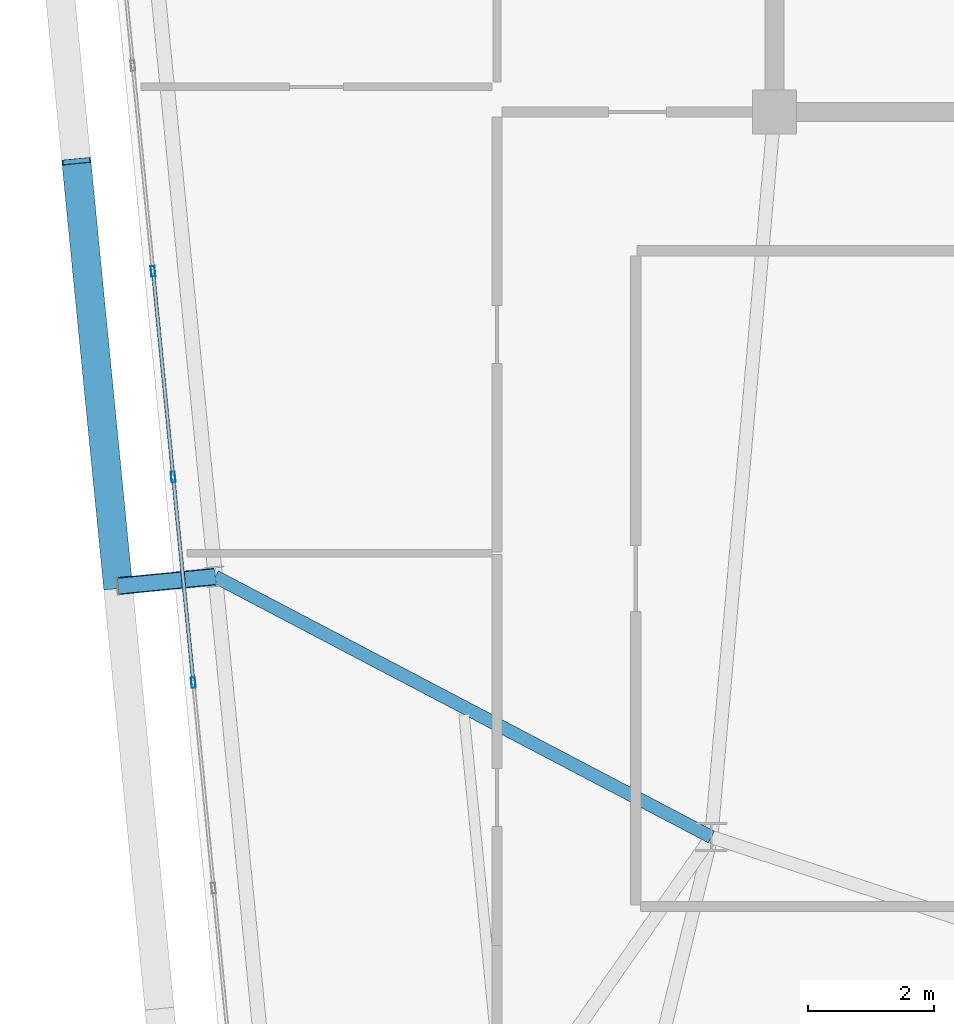
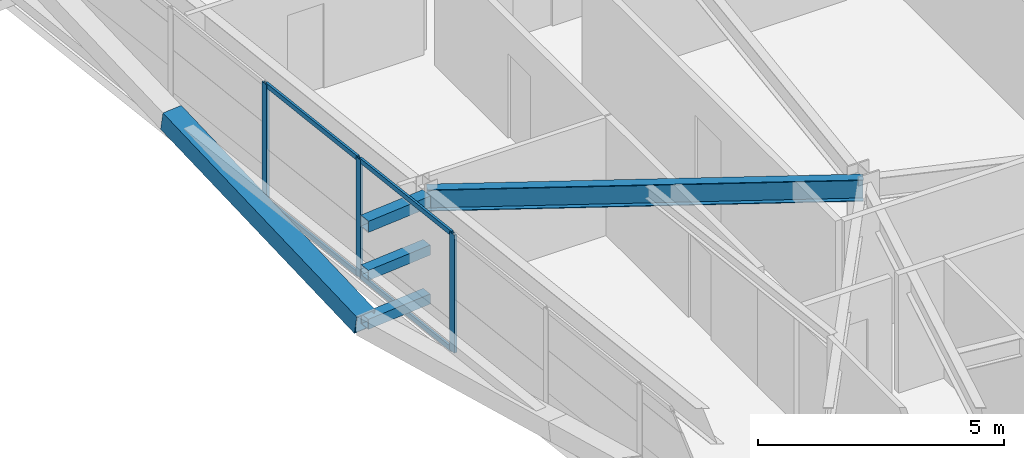
# One storey, part 13 of 52: 11 members, 1 beam, 1 element without a shape of its own.
"""IFC4 building model written with IfcOpenShell, lengths in metres."""

from ifc_helpers import new_model, si_unit, direction, frame, origin, origin_2d, place, context, subcontext, project, spatial, hollow_rectangle, i_section, extrude, source, transform, mapped, material, layer, layer_set, material_profile, profile_set, type_object, element, aggregate, save


model = new_model("IFC4")

# Units and contexts
model_context = context("Model", 3, precision=1e-05, world=origin(), true_north=direction((0.0, 1.0)))
body_context = subcontext(model_context, "Body", "Model", "MODEL_VIEW")
ifc_project = project(units=[si_unit("LENGTHUNIT", "METRE"), si_unit("AREAUNIT", "SQUARE_METRE"), si_unit("VOLUMEUNIT", "CUBIC_METRE"), si_unit("PLANEANGLEUNIT", "RADIAN"), si_unit("MASSUNIT", "GRAM", prefix="KILO")], contexts=[model_context])

# Site, building, storey
site_placement = place(None, origin())
site = spatial("IfcSite", under=ifc_project, at=site_placement, CompositionType="ELEMENT")
building_placement = place(site_placement, origin())
building = spatial("IfcBuilding", under=site, at=building_placement, Name="Taldren Reach Tower", CompositionType="ELEMENT")
storey_placement = place(building_placement, frame((0.0, 0.0, 96.60009765625)))
storey = spatial("IfcBuildingStorey", under=building, at=storey_placement, Name="L29", CompositionType="ELEMENT", Elevation=96.60009765625)

# Beam
ifc_material_1 = material(Name="Steel Gr 350 (350PLUS)", Category="steel")
ifc_material_profile_1 = material_profile(ifc_material_1, i_section(OverallWidth=0.208984375, OverallDepth=0.532958984375, WebThickness=0.01025390625, FlangeThickness=0.015625, at=origin_2d()), Name="530UB92.4")
ifc_profile_set_1 = profile_set([ifc_material_profile_1], Name="Steel Gr 350 (350PLUS)")
beam_type = type_object("IfcBeamType", Name="BM-UB530A", PredefinedType="BEAM", material=ifc_profile_set_1)
shared_shape_1 = source(origin(), body_context, "Body", "SweptSolid", [
    extrude(i_section(OverallWidth=0.208984375, OverallDepth=0.532958984375, WebThickness=0.01025390625, FlangeThickness=0.015625, at=origin_2d()), origin(), (0.0, 0.0, 1.0), 8.8876953125),
])
beam_placement = place(storey_placement, frame((18.0, 12.5, 2.663330078125), z_axis=(-0.885412881876, 0.464805366371, 0.0), x_axis=(-0.464805366371, -0.885412881876, 0.0)))
element("IfcBeam", 1, at=beam_placement, inside=storey, type_object=beam_type, Name="Primary floor girder B2-W2 L29", PredefinedType="BEAM", context=body_context, shape_type="MappedRepresentation", body=[
    mapped(shared_shape_1, transform((0.0, 0.0, 0.0), scale=1.0)),
])

# Members
ifc_material_2 = material(Name="Steel Gr 450 (C450L0)", Category="steel")
ifc_material_profile_2 = material_profile(ifc_material_2, hollow_rectangle(XDim=0.27490234375, YDim=0.27490234375, WallThickness=0.00927734375, at=origin_2d()), Name="275x275x9.3SHS")
ifc_profile_set_2 = profile_set([ifc_material_profile_2], Name="Steel Gr 450 (C450L0)")
member_type_1 = type_object("IfcMemberType", Name="MB-TIE273", PredefinedType="STRUT", material=ifc_profile_set_2)
shared_shape_2 = source(origin(), body_context, "Body", "SweptSolid", [
    extrude(hollow_rectangle(XDim=0.27490234375, YDim=0.27490234375, WallThickness=0.00927734375, at=origin_2d()), origin(), (0.0, 0.0, 1.0), 1.550048828125),
])
member_1_placement = place(storey_placement, frame((10.130615234375, 16.631103515625, 2.64990234375), z_axis=(-0.9952210252, -0.097647892962, 0.0), x_axis=(0.097647892962, -0.9952210252, 0.0)))
element("IfcMember", 2, at=member_1_placement, inside=storey, type_object=member_type_1, Name="Exoskeleton diaphragm tie strut B2-W2 L29", PredefinedType="STRUT", context=body_context, shape_type="MappedRepresentation", body=[
    mapped(shared_shape_2, transform((0.0, 0.0, 0.0), scale=1.0)),
])
ifc_material_3 = material(Name="Steel Gr 350 (C350L0)", Category="steel")
ifc_material_profile_3 = material_profile(ifc_material_3, hollow_rectangle(XDim=0.25, YDim=0.25, WallThickness=0.010009765625, at=origin_2d()), Name="250x250x10.0SHS")
ifc_profile_set_3 = profile_set([ifc_material_profile_3], Name="Steel Gr 350 (C350L0)")
member_type_2 = type_object("IfcMemberType", Name="MB-POST250", PredefinedType="POST", material=ifc_profile_set_3)
shared_shape_3 = source(origin(), body_context, "Body", "SweptSolid", [
    extrude(hollow_rectangle(XDim=0.25, YDim=0.25, WallThickness=0.010009765625, at=origin_2d()), origin(), (0.0, 0.0, 1.0), 1.550048828125),
])
for number, where, z_axis, x_axis, name in (
    (3, (10.130615234375, 16.631103515625, 0.219970703125), (-0.9952210252, -0.097647892962, 0.0), (0.097647892962, -0.9952210252, 0.0), "Exoskeleton base diaphragm tie strut B2-W2 L29"),
    (4, (10.130615234375, 16.631103515625, 1.434814453125), (-0.9952210252, -0.097647892962, 0.0), (0.097647892962, -0.9952210252, 0.0), "Exoskeleton mid-tier diaphragm tie B2-W2 L29"),
):
    element("IfcMember", number, at=place(storey_placement, frame(where, z_axis=z_axis, x_axis=x_axis)), inside=storey, type_object=member_type_2, Name=name, PredefinedType="POST", context=body_context, shape_type="MappedRepresentation", body=[
        mapped(shared_shape_3, transform((0.0, 0.0, 0.0), scale=1.0)),
    ])
ifc_material_profile_4 = material_profile(ifc_material_2, hollow_rectangle(XDim=0.4599609375, YDim=0.4599609375, WallThickness=0.01611328125, at=origin_2d()), Name="460x460x16.0SHS")
ifc_profile_set_4 = profile_set([ifc_material_profile_4], Name="Steel Gr 450 (C450L0)")
member_type_3 = type_object("IfcMemberType", Name="MB-EXO457", PredefinedType="BRACE", material=ifc_profile_set_4)
shared_shape_4 = source(origin(), body_context, "Body", "SweptSolid", [
    extrude(hollow_rectangle(XDim=0.4599609375, YDim=0.4599609375, WallThickness=0.01611328125, at=origin_2d()), origin(), (0.0, 0.0, 1.0), 6.883056640625),
])
member_2_placement = place(storey_placement, frame((8.587890625, 16.479736328125, 0.219970703125), z_axis=(-0.096052059581, 0.979603316657, 0.176497432967), x_axis=(-0.995227290009, -0.097584021339, 0.0)))
element("IfcMember", 5, at=member_2_placement, inside=storey, type_object=member_type_3, Name="Exoskeleton Diagrid Brace B2-W2 L29", PredefinedType="BRACE", context=body_context, shape_type="MappedRepresentation", body=[
    mapped(shared_shape_4, transform((0.0, 0.0, 0.0), scale=1.0)),
])

# Curtain wall, members
ifc_material_4 = material(Name="Aluminium and Low-E Glass Unitised System", Category="aluminium")
ifc_layer = layer(ifc_material_4, 0.159912109375)
ifc_layer_set = layer_set([ifc_layer], Name="Aluminium and Low-E Glass Unitised System")
curtain_wall_type = type_object("IfcCurtainWallType", Name="CW-SYS-3", PredefinedType="NOTDEFINED", material=ifc_layer_set)
curtain_wall_placement = place(storey_placement, origin())
curtain_wall = element("IfcCurtainWall", 6, at=curtain_wall_placement, inside=storey, type_object=curtain_wall_type, Name="Unitised curtain wall CW-L29-W", PredefinedType="NOTDEFINED")
ifc_material_5 = material(Name="Anodised Aluminium 6063-T6", Category="aluminium")
ifc_material_profile_5 = material_profile(ifc_material_5, hollow_rectangle(XDim=0.06494140625, YDim=0.1650390625, WallThickness=0.00390625, at=origin_2d()), Name="ALU-165x65x4RHS")
ifc_profile_set_5 = profile_set([ifc_material_profile_5], Name="Anodised Aluminium 6063-T6")
member_type_4 = type_object("IfcMemberType", Name="CW-MUL-165", PredefinedType="MULLION", material=ifc_profile_set_5)
shared_shape_5 = source(origin(), body_context, "Body", "SweptSolid", [
    extrude(hollow_rectangle(XDim=0.06494140625, YDim=0.1650390625, WallThickness=0.00390625, at=origin_2d()), origin(), (0.0, 0.0, 1.0), 2.929931640625),
])
member_3_placement = place(storey_placement, frame((9.14306640625, 21.474609375, 0.0), z_axis=(0.0, 0.0, 1.0), x_axis=(0.99522741555, 0.09758274098, 0.0)))
member_3 = element("IfcMember", 7, at=member_3_placement, type_object=member_type_4, Name="CW-3 mullion 4", PredefinedType="MULLION", context=body_context, shape_type="MappedRepresentation", body=[
    mapped(shared_shape_5, transform((0.0, 0.0, 0.0), scale=1.0)),
])
member_4_placement = place(storey_placement, frame((9.463134765625, 18.21240234375, 0.0), z_axis=(0.0, 0.0, 1.0), x_axis=(0.99522741555, 0.09758274098, 0.0)))
member_4 = element("IfcMember", 8, at=member_4_placement, type_object=member_type_4, Name="CW-3 mullion 5", PredefinedType="MULLION", context=body_context, shape_type="MappedRepresentation", body=[
    mapped(shared_shape_5, transform((0.0, 0.0, 0.0), scale=1.0)),
])
member_5_placement = place(storey_placement, frame((9.782958984375, 14.9501953125, 0.0), z_axis=(0.0, 0.0, 1.0), x_axis=(0.99522741555, 0.09758274098, 0.0)))
member_5 = element("IfcMember", 9, at=member_5_placement, type_object=member_type_4, Name="CW-3 mullion 6", PredefinedType="MULLION", context=body_context, shape_type="MappedRepresentation", body=[
    mapped(shared_shape_5, transform((0.0, 0.0, 0.0), scale=1.0)),
])
ifc_material_profile_6 = material_profile(ifc_material_5, hollow_rectangle(XDim=0.054931640625, YDim=0.1201171875, WallThickness=0.0029296875, at=origin_2d()), Name="ALU-120x55x3RHS")
ifc_profile_set_6 = profile_set([ifc_material_profile_6], Name="Anodised Aluminium 6063-T6")
member_type_5 = type_object("IfcMemberType", Name="CW-TRN-135", PredefinedType="USERDEFINED", material=ifc_profile_set_6)
shared_shape_6 = source(origin(), body_context, "Body", "SweptSolid", [
    extrude(hollow_rectangle(XDim=0.054931640625, YDim=0.1201171875, WallThickness=0.0029296875, at=origin_2d()), origin(), (0.0, 0.0, 1.0), 3.212890625),
])
member_6_placement = place(storey_placement, frame((9.46630859375, 18.18017578125, 0.02734375), z_axis=(0.097569948235, -0.995228669805, 0.0), x_axis=(0.995228669805, 0.097569948235, 0.0)))
member_6 = element("IfcMember", 10, at=member_6_placement, type_object=member_type_5, Name="CW-3 transom 5.1", ObjectType="TRANSOM", PredefinedType="USERDEFINED", context=body_context, shape_type="MappedRepresentation", body=[
    mapped(shared_shape_6, transform((0.0, 0.0, 0.0), scale=1.0)),
])
member_7_placement = place(storey_placement, frame((9.46630859375, 18.18017578125, 2.90234375), z_axis=(0.097569948235, -0.995228669805, 0.0), x_axis=(0.995228669805, 0.097569948235, 0.0)))
member_7 = element("IfcMember", 11, at=member_7_placement, type_object=member_type_5, Name="CW-3 transom 5.2", ObjectType="TRANSOM", PredefinedType="USERDEFINED", context=body_context, shape_type="MappedRepresentation", body=[
    mapped(shared_shape_6, transform((0.0, 0.0, 0.0), scale=1.0)),
])
shared_shape_7 = source(origin(), body_context, "Body", "SweptSolid", [
    extrude(hollow_rectangle(XDim=0.054931640625, YDim=0.1201171875, WallThickness=0.0029296875, at=origin_2d()), origin(), (0.0, 0.0, 1.0), 3.212646484375),
])
member_8_placement = place(storey_placement, frame((9.146240234375, 21.442138671875, 0.02734375), z_axis=(0.097652598057, -0.99522056354, 0.0), x_axis=(0.99522056354, 0.097652598057, 0.0)))
member_8 = element("IfcMember", 12, at=member_8_placement, type_object=member_type_5, Name="CW-3 transom 4.1", ObjectType="TRANSOM", PredefinedType="USERDEFINED", context=body_context, shape_type="MappedRepresentation", body=[
    mapped(shared_shape_7, transform((0.0, 0.0, 0.0), scale=1.0)),
])
member_9_placement = place(storey_placement, frame((9.146240234375, 21.442138671875, 2.90234375), z_axis=(0.097652598057, -0.99522056354, 0.0), x_axis=(0.99522056354, 0.097652598057, 0.0)))
member_9 = element("IfcMember", 13, at=member_9_placement, type_object=member_type_5, Name="CW-3 transom 4.2", ObjectType="TRANSOM", PredefinedType="USERDEFINED", context=body_context, shape_type="MappedRepresentation", body=[
    mapped(shared_shape_7, transform((0.0, 0.0, 0.0), scale=1.0)),
])
aggregate(curtain_wall, [member_3, member_4, member_5, member_8, member_9, member_6, member_7])

save(model, "model.ifc")
